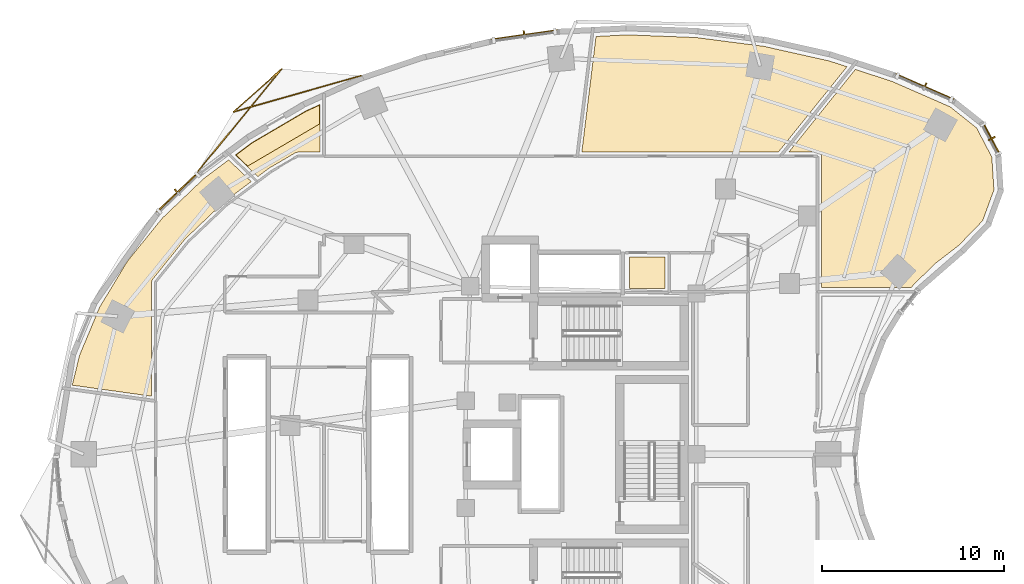
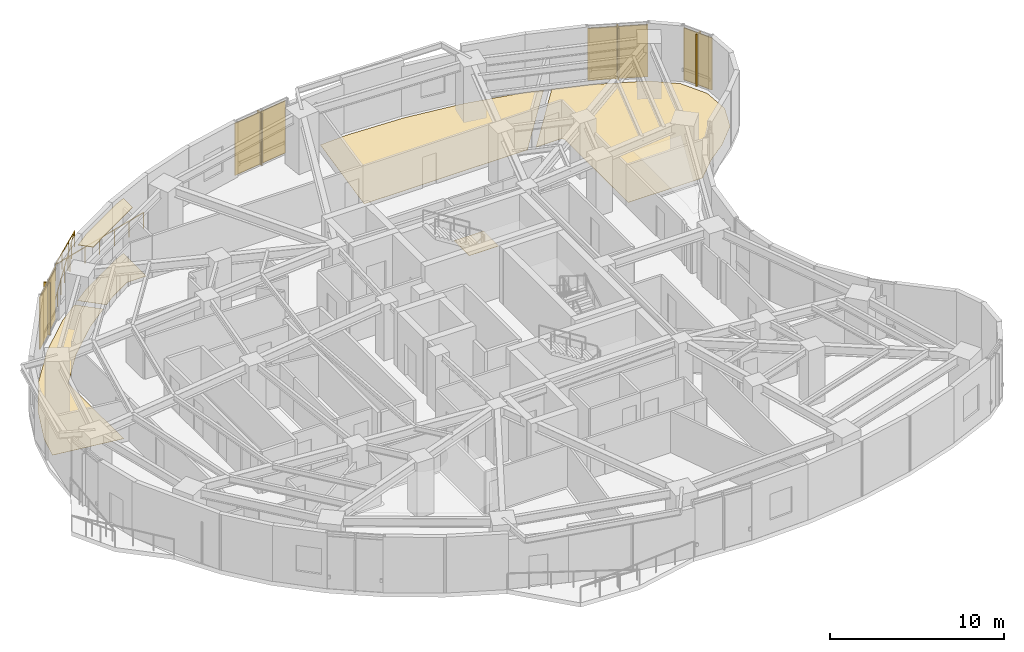
# One storey, part 16 of 16: 8 shading devices, 6 coverings, 1 railing.
"""IFC4 building model written with IfcOpenShell, lengths in metres."""

from ifc_helpers import new_model, si_unit, direction, frame, origin, origin_2d, place, context, subcontext, project, spatial, polyline, rectangle, outline, extrude, material, layer, layer_set, type_object, element, save


model = new_model("IFC4")

# Units and contexts
model_context = context("Model", 3, precision=1e-05, world=origin(), true_north=direction((0.0, 1.0)))
body_context = subcontext(model_context, "Body", "Model", "MODEL_VIEW")
ifc_project = project(units=[si_unit("LENGTHUNIT", "METRE"), si_unit("AREAUNIT", "SQUARE_METRE"), si_unit("VOLUMEUNIT", "CUBIC_METRE"), si_unit("PLANEANGLEUNIT", "RADIAN"), si_unit("MASSUNIT", "GRAM", prefix="KILO")], contexts=[model_context])

# Site, building, storey
site_placement = place(None, origin())
site = spatial("IfcSite", under=ifc_project, at=site_placement, CompositionType="ELEMENT")
building_placement = place(site_placement, origin())
building = spatial("IfcBuilding", under=site, at=building_placement, Name="Korentha Bioscience Tower", CompositionType="ELEMENT")
storey_placement = place(building_placement, frame((0.0, 0.0, 55.199951171875)))
storey = spatial("IfcBuildingStorey", under=building, at=storey_placement, Name="L12", CompositionType="ELEMENT", Elevation=55.199951171875)

# Covering
ifc_material_1 = material(Name="Vitrified Porcelain Tile", Category="ceramic")
ifc_layer_1 = layer(ifc_material_1, 0.014892578125, Name="Vitrified Porcelain Tile")
ifc_layer_set_1 = layer_set([ifc_layer_1], Name="Vitrified Porcelain Tile (FL-CER)")
covering_type_1 = type_object("IfcCoveringType", Name="Anti-Slip Ceramic Wet-Room Tile Flooring 15", PredefinedType="FLOORING", material=ifc_layer_set_1)
covering_1_placement = place(storey_placement, origin())
element("IfcCovering", 1, at=covering_1_placement, inside=storey, type_object=covering_type_1, Name="L12 Accessible Staff WC Floor Finish", PredefinedType="FLOORING", context=body_context, shape_type="SweptSolid", body=[
    extrude(outline(polyline([(33.8701171875, 36.1298828125), (33.8701171875, 37.8701171875), (35.830078125, 37.8701171875), (35.830078125, 36.1298828125), (33.8701171875, 36.1298828125)])), origin(), (0.0, 0.0, 1.0), 0.01513671875),
])

# Railing
ifc_material_2 = material(Name="Laminated Tempered Safety Glass", Category="glass")
railing_type = type_object("IfcRailingType", Name="Laminated Glass Balcony Guardrail 1150", PredefinedType="BALUSTRADE", material=ifc_material_2)
railing_placement = place(storey_placement, frame((19.07080078125, 47.837646484375, 0.0)))
element("IfcRailing", 2, at=railing_placement, inside=storey, type_object=railing_type, Name="L12 Balcony Guardrail 01", PredefinedType="BALUSTRADE", context=body_context, shape_type="SweptSolid", body=[
    extrude(rectangle(XDim=0.048095703125, YDim=0.048095703125, at=origin_2d()), frame((0.0, 0.0, 1.1259765625), z_axis=(-0.961875531966, -0.273487588394, 0.0), x_axis=(0.273487588394, -0.961875531966, 0.0)), (0.0, 0.0, 1.0), 7.268310546875),
    extrude(rectangle(XDim=0.048095703125, YDim=0.048095703125, at=origin_2d()), frame((-6.9912109375, -1.98779296875, 1.1259765625), z_axis=(0.745563634024, 0.666434443603, 0.0), x_axis=(-0.666434443603, 0.745563634024, 0.0)), (0.0, 0.0, 1.0), 3.545166015625),
    extrude(rectangle(XDim=0.048095703125, YDim=0.048095703125, at=origin_2d()), frame((-4.34814453125, 0.374755859375, 1.1259765625), z_axis=(-0.633032881961, -0.774124906172, 0.0), x_axis=(0.774124906172, -0.633032881961, 0.0)), (0.0, 0.0, 1.0), 7.267578125),
    extrude(rectangle(XDim=0.0419921875, YDim=0.0419921875, at=origin_2d()), origin(), (0.0, 0.0, 1.0), 1.101806640625),
    extrude(rectangle(XDim=0.0419921875, YDim=0.0419921875, at=origin_2d()), frame((-1.165283203125, -0.331298828125, 0.0)), (0.0, 0.0, 1.0), 1.101806640625),
    extrude(rectangle(XDim=0.0419921875, YDim=0.0419921875, at=origin_2d()), frame((-2.330322265625, -0.66259765625, 0.0)), (0.0, 0.0, 1.0), 1.101806640625),
    extrude(rectangle(XDim=0.0419921875, YDim=0.0419921875, at=origin_2d()), frame((-3.49560546875, -0.993896484375, 0.0)), (0.0, 0.0, 1.0), 1.101806640625),
    extrude(rectangle(XDim=0.0419921875, YDim=0.0419921875, at=origin_2d()), frame((-4.660888671875, -1.3251953125, 0.0)), (0.0, 0.0, 1.0), 1.101806640625),
    extrude(rectangle(XDim=0.0419921875, YDim=0.0419921875, at=origin_2d()), frame((-5.825927734375, -1.656494140625, 0.0)), (0.0, 0.0, 1.0), 1.101806640625),
    extrude(rectangle(XDim=0.0419921875, YDim=0.0419921875, at=origin_2d()), frame((-6.9912109375, -1.98779296875, 0.0)), (0.0, 0.0, 1.0), 1.101806640625),
    extrude(rectangle(XDim=0.0419921875, YDim=0.0419921875, at=origin_2d()), frame((-6.110107421875, -1.2001953125, 0.0)), (0.0, 0.0, 1.0), 1.101806640625),
    extrude(rectangle(XDim=0.0419921875, YDim=0.0419921875, at=origin_2d()), frame((-5.229248046875, -0.412841796875, 0.0)), (0.0, 0.0, 1.0), 1.101806640625),
    extrude(rectangle(XDim=0.0419921875, YDim=0.0419921875, at=origin_2d()), frame((-4.34814453125, 0.374755859375, 0.0)), (0.0, 0.0, 1.0), 1.101806640625),
    extrude(rectangle(XDim=0.0419921875, YDim=0.0419921875, at=origin_2d()), frame((-5.114990234375, -0.56298828125, 0.0)), (0.0, 0.0, 1.0), 1.101806640625),
    extrude(rectangle(XDim=0.0419921875, YDim=0.0419921875, at=origin_2d()), frame((-5.881591796875, -1.50048828125, 0.0)), (0.0, 0.0, 1.0), 1.101806640625),
    extrude(rectangle(XDim=0.0419921875, YDim=0.0419921875, at=origin_2d()), frame((-6.6484375, -2.438232421875, 0.0)), (0.0, 0.0, 1.0), 1.101806640625),
    extrude(rectangle(XDim=0.0419921875, YDim=0.0419921875, at=origin_2d()), frame((-7.415283203125, -3.3759765625, 0.0)), (0.0, 0.0, 1.0), 1.101806640625),
    extrude(rectangle(XDim=0.0419921875, YDim=0.0419921875, at=origin_2d()), frame((-8.181884765625, -4.3134765625, 0.0)), (0.0, 0.0, 1.0), 1.101806640625),
    extrude(rectangle(XDim=0.0419921875, YDim=0.0419921875, at=origin_2d()), frame((-8.94873046875, -5.251220703125, 0.0)), (0.0, 0.0, 1.0), 1.101806640625),
])

# Covering
ifc_material_3 = material(Name="Antimicrobial Mineral Fibre Board", Category="gypsum")
ifc_layer_2 = layer(ifc_material_3, 0.034912109375, Name="Antimicrobial Mineral Fibre Board")
ifc_layer_set_2 = layer_set([ifc_layer_2], Name="Antimicrobial Mineral Fibre Board (CL-MF35)")
covering_type_2 = type_object("IfcCoveringType", Name="Mineral-Fibre Cleanroom Suspended Ceiling 35", PredefinedType="CEILING", material=ifc_layer_set_2)
covering_2_placement = place(storey_placement, frame((0.0, 0.0, 3.864990234375)))
element("IfcCovering", 3, at=covering_2_placement, inside=storey, type_object=covering_type_2, Name="L12 Research Group Leader Office 17 Acoustic Ceiling", PredefinedType="CEILING", context=body_context, shape_type="SweptSolid", body=[
    extrude(outline(polyline([(12.85107421875, 42.864990234375), (12.214599609375, 43.477294921875), (13.11279296875, 44.148681640625), (16.059814453125, 45.878173828125), (16.7919921875, 46.21044921875), (16.7919921875, 45.175537109375), (12.85107421875, 42.864990234375)])), origin(), (0.0, 0.0, 1.0), 0.03515625),
])

# Shading devices
ifc_material_4 = material(Name="Perforated Stone-Ceramic Composite", Category="masonry")
ifc_layer_3 = layer(ifc_material_4, 0.06494140625, Name="Perforated Stone-Ceramic Composite")
ifc_layer_set_3 = layer_set([ifc_layer_3], Name="Perforated Stone-Ceramic Composite (CS-01)")
shading_device_type_1 = type_object("IfcShadingDeviceType", Name="Perforated Stone-Ceramic Solar Screen Panel 65", PredefinedType="USERDEFINED", material=ifc_layer_set_3)
shading_device_1_placement = place(storey_placement, frame((50.113037109375, 47.231201171875, 0.0), z_axis=(0.0, 0.0, 1.0), x_axis=(-0.91593909057, 0.401317308828, 0.0)))
element("IfcShadingDevice", 4, at=shading_device_1_placement, inside=storey, type_object=shading_device_type_1, Name="CW-L12-01 Perforated Stone-Ceramic Solar Screen", ObjectType="SCREEN", PredefinedType="USERDEFINED", context=body_context, shape_type="SweptSolid", body=[
    extrude(rectangle(XDim=3.492431640625, YDim=0.06494140625, at=origin_2d()), origin(), (0.0, 0.0, 1.0), 3.64990234375),
])
shading_device_2_placement = place(storey_placement, frame((28.072509765625, 50.08251953125, 0.0), z_axis=(0.0, 0.0, 1.0), x_axis=(-0.990167372968, -0.139887717511, 0.0)))
element("IfcShadingDevice", 5, at=shading_device_2_placement, inside=storey, type_object=shading_device_type_1, Name="CW-L12-07 Perforated Stone-Ceramic Solar Screen", ObjectType="SCREEN", PredefinedType="USERDEFINED", context=body_context, shape_type="SweptSolid", body=[
    extrude(rectangle(XDim=3.69091796875, YDim=0.06494140625, at=origin_2d()), origin(), (0.0, 0.0, 1.0), 3.64990234375),
])
shading_device_3_placement = place(storey_placement, frame((8.989990234375, 41.424072265625, 0.0), z_axis=(0.0, 0.0, 1.0), x_axis=(-0.723641761581, -0.690175775361, 0.0)))
element("IfcShadingDevice", 6, at=shading_device_3_placement, inside=storey, type_object=shading_device_type_1, Name="CW-L12-13 Perforated Stone-Ceramic Solar Screen", ObjectType="SCREEN", PredefinedType="USERDEFINED", context=body_context, shape_type="SweptSolid", body=[
    extrude(rectangle(XDim=3.142822265625, YDim=0.06494140625, at=origin_2d()), origin(), (0.0, 0.0, 1.0), 3.64990234375),
])
shading_device_4_placement = place(storey_placement, frame((53.784912109375, 44.375732421875, 0.0), z_axis=(0.0, 0.0, 1.0), x_axis=(-0.463008597697, 0.886353788539, 0.0)))
element("IfcShadingDevice", 7, at=shading_device_4_placement, inside=storey, type_object=shading_device_type_1, Name="CW-L12-61 Perforated Stone-Ceramic Solar Screen", ObjectType="SCREEN", PredefinedType="USERDEFINED", context=body_context, shape_type="SweptSolid", body=[
    extrude(rectangle(XDim=1.927734375, YDim=0.06494140625, at=origin_2d()), origin(), (0.0, 0.0, 1.0), 3.64990234375),
])

# Coverings
ifc_material_5 = material(Name="Chemical-Resistant Epoxy Resin", Category="polymer")
ifc_layer_4 = layer(ifc_material_5, 0.011962890625, Name="Chemical-Resistant Epoxy Resin")
ifc_layer_set_4 = layer_set([ifc_layer_4], Name="Chemical-Resistant Epoxy Resin (FL-EPX)")
covering_type_3 = type_object("IfcCoveringType", Name="Seamless Epoxy Laboratory Flooring 12", PredefinedType="FLOORING", material=ifc_layer_set_4)
covering_3_placement = place(storey_placement, origin())
element("IfcCovering", 8, at=covering_3_placement, inside=storey, type_object=covering_type_3, Name="L12 Proteomics Crystallography Laboratory 13 Floor Finish", PredefinedType="FLOORING", context=body_context, shape_type="SweptSolid", body=[
    extrude(outline(polyline([(44.429931640625, 36.177978515625), (44.423095703125, 43.455322265625), (44.35400390625, 43.57080078125), (44.27783203125, 43.616455078125), (44.2119140625, 43.629638671875), (42.62939453125, 43.6298828125), (46.29248046875, 48.18603515625), (48.310302734375, 47.52978515625), (51.5166015625, 46.125), (52.96630859375, 44.970458984375), (53.805419921875, 43.364501953125), (53.922607421875, 41.556396484375), (53.297607421875, 39.85546875), (51.98876953125, 38.5029296875), (50.681884765625, 37.4970703125), (49.50390625, 36.340087890625), (49.3701171875, 36.177978515625), (44.429931640625, 36.177978515625)])), origin(), (0.0, 0.0, 1.0), 0.011962890625),
])
covering_4_placement = place(storey_placement, origin())
element("IfcCovering", 9, at=covering_4_placement, inside=storey, type_object=covering_type_3, Name="L12 Peptide Synthesis Wet Lab 15 Floor Finish", PredefinedType="FLOORING", context=body_context, shape_type="SweptSolid", body=[
    extrude(outline(polyline([(33.756103515625, 50.0888671875), (37.5263671875, 49.942138671875), (41.244873046875, 49.461181640625), (44.857177734375, 48.65283203125), (45.834716796875, 48.3349609375), (42.056884765625, 43.63623046875), (31.2392578125, 43.630126953125), (32.021484375, 50.001220703125), (33.756103515625, 50.0888671875)])), origin(), (0.0, 0.0, 1.0), 0.011962890625),
])
covering_5_placement = place(storey_placement, origin())
element("IfcCovering", 10, at=covering_5_placement, inside=storey, type_object=covering_type_3, Name="L12 Research Group Leader Office 17 Floor Finish", PredefinedType="FLOORING", context=body_context, shape_type="SweptSolid", body=[
    extrude(outline(polyline([(16.822021484375, 46.257080078125), (16.822021484375, 43.6298828125), (15.5908203125, 43.6298828125), (15.5068359375, 43.614013671875), (14.0390625, 42.755615234375), (13.40966796875, 42.285400390625), (12.16845703125, 43.47998046875), (13.09619140625, 44.173828125), (16.0458984375, 45.90478515625), (16.822021484375, 46.257080078125)])), origin(), (0.0, 0.0, 1.0), 0.011962890625),
])
covering_6_placement = place(storey_placement, origin())
element("IfcCovering", 11, at=covering_6_placement, inside=storey, type_object=covering_type_3, Name="L12 Colloquium Huddle Room 19 Floor Finish", PredefinedType="FLOORING", context=body_context, shape_type="SweptSolid", body=[
    extrude(outline(polyline([(4.702392578125, 35.097900390625), (6.225830078125, 37.6240234375), (8.15087890625, 40.001708984375), (10.451904296875, 42.1962890625), (11.80322265625, 43.206787109375), (13.044677734375, 42.012451171875), (11.551513671875, 40.89501953125), (9.414306640625, 38.857421875), (7.591552734375, 36.59814453125), (7.570068359375, 36.501220703125), (7.570068359375, 30.2001953125), (3.194580078125, 30.807373046875), (3.600830078125, 32.46044921875), (4.702392578125, 35.097900390625)])), origin(), (0.0, 0.0, 1.0), 0.011962890625),
])

# Shading devices
ifc_material_6 = material(Name="Honed Travertine Limestone", Category="masonry")
ifc_layer_5 = layer(ifc_material_6, 0.080078125, Name="Honed Travertine Limestone")
ifc_layer_set_5 = layer_set([ifc_layer_5], Name="Honed Travertine Limestone (CS-02)")
shading_device_type_2 = type_object("IfcShadingDeviceType", Name="Vertical Honed Limestone Sunshade Fin 80x420", PredefinedType="USERDEFINED", material=ifc_layer_set_5)
for number, where, z_axis, x_axis, name in (
    (12, (50.12109375, 47.24951171875, 0.0), (0.0, 0.0, 1.0), (-0.91593909057, 0.401317308828, 0.0), "CW-L12-01 Limestone Sunshade Fin"),
    (13, (28.06982421875, 50.102294921875, 0.0), (0.0, 0.0, 1.0), (-0.990167372968, -0.139887717511, 0.0), "CW-L12-07 Limestone Sunshade Fin"),
    (14, (8.976318359375, 41.4384765625, 0.0), (0.0, 0.0, 1.0), (-0.723641761581, -0.690175775361, 0.0), "CW-L12-13 Limestone Sunshade Fin"),
    (15, (53.802490234375, 44.385009765625, 0.0), (0.0, 0.0, 1.0), (-0.463008597697, 0.886353788539, 0.0), "CW-L12-61 Limestone Sunshade Fin"),
):
    element("IfcShadingDevice", number, at=place(storey_placement, frame(where, z_axis=z_axis, x_axis=x_axis)), inside=storey, type_object=shading_device_type_2, Name=name, ObjectType="SCREEN", PredefinedType="USERDEFINED", context=body_context, shape_type="SweptSolid", body=[
        extrude(rectangle(XDim=0.080078125, YDim=0.419921875, at=origin_2d()), origin(), (0.0, 0.0, 1.0), 3.64990234375),
    ])

save(model, "model.ifc")
